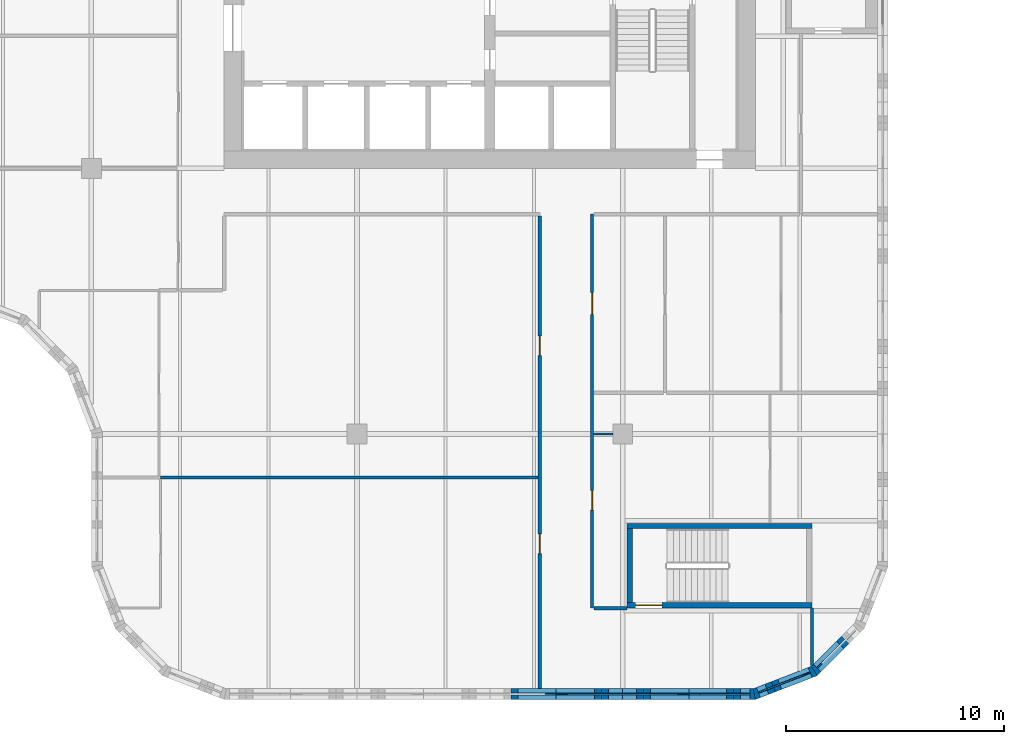
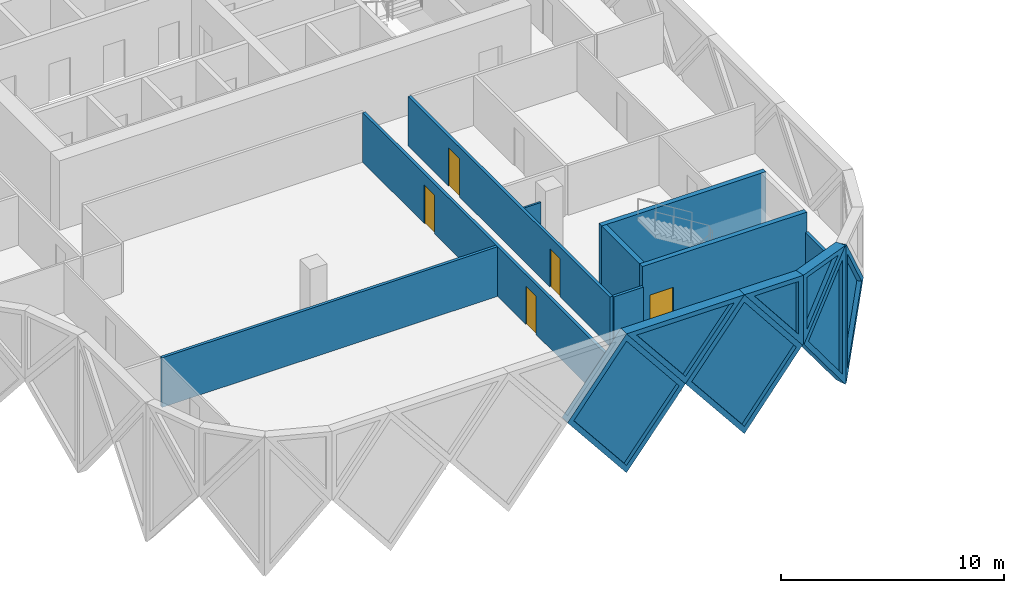
# One storey, part 7 of 24: 16 walls, 7 plates, 5 doors, 12 openings.
"""IFC4 building model written with IfcOpenShell, lengths in metres."""

from ifc_helpers import new_model, si_unit, direction, frame, frame_2d, origin, place, context, subcontext, project, spatial, polyline, rectangle, outline, extrude, faceted_brep, source, transform, mapped, material, layer, layer_set, type_object, element, fill, save


model = new_model("IFC4")

# Units and contexts
model_context = context("Model", 3, precision=1e-05, world=origin(), true_north=direction((0.0, 1.0)))
body_context = subcontext(model_context, "Body", "Model", "MODEL_VIEW")
ifc_project = project(units=[si_unit("LENGTHUNIT", "METRE"), si_unit("AREAUNIT", "SQUARE_METRE"), si_unit("VOLUMEUNIT", "CUBIC_METRE"), si_unit("PLANEANGLEUNIT", "RADIAN"), si_unit("MASSUNIT", "GRAM", prefix="KILO")], contexts=[model_context])

# Site, building, storey
site_placement = place(None, origin())
site = spatial("IfcSite", under=ifc_project, at=site_placement, CompositionType="ELEMENT")
building_placement = place(site_placement, origin())
building = spatial("IfcBuilding", under=site, at=building_placement, Name="Tessera Gate Towers", CompositionType="ELEMENT")
storey_placement = place(building_placement, frame((0.0, 0.0, 102.800048828125)))
storey = spatial("IfcBuildingStorey", under=building, at=storey_placement, Name="L25", CompositionType="ELEMENT", Elevation=102.800048828125)

# Wall, opening, door
ifc_material_1 = material(Name="Concrete C40/50", Category="concrete")
ifc_layer_1 = layer(ifc_material_1, 0.25)
ifc_layer_set_1 = layer_set([ifc_layer_1], Name="CORE ENCLOSURE WALL 250")
wall_type_1 = type_object("IfcWallType", Name="CORE ENCLOSURE WALL 250", PredefinedType="SOLIDWALL", material=ifc_layer_set_1)
wall_1_placement = place(storey_placement, frame((57.5, 4.324951171875, 0.0), z_axis=(0.0, 0.0, 1.0), x_axis=(-1.0, 0.0, 0.0)))
wall_1 = element("IfcWall", 1, at=wall_1_placement, inside=storey, type_object=wall_type_1, Name="L25 ST4 enclosure wall", PredefinedType="SOLIDWALL", context=body_context, shape_type="SweptSolid", body=[
    extrude(rectangle(XDim=8.5, YDim=0.25, at=frame_2d((4.25, 0.0))), origin(), (0.0, 0.0, 1.0), 3.800048828125),
])
shared_shape_1 = source(origin(), body_context, "Body", "SweptSolid", [
    extrude(rectangle(XDim=1.199951171875, YDim=2.10009765625, at=frame_2d((0.60009765625, 1.050048828125))), frame((0.0, 0.135009765625, 0.0), z_axis=(0.0, -1.0, 0.0), x_axis=(1.0, 0.0, 0.0)), (0.0, 0.0, 1.0), 0.27001953125),
])
opening_1_placement = place(wall_1_placement, frame((6.89990234375, 0.0, 0.0)))
opening_1 = element("IfcOpeningElement", 2, at=opening_1_placement, cuts=wall_1, Name="Opening SD-ST4-1", PredefinedType="OPENING", context=body_context, shape_type="MappedRepresentation", body=[
    mapped(shared_shape_1, transform((0.0, 0.0, 0.0), scale=1.0)),
])
ifc_material_2 = material(Name="Hollow steel fire door", Category="steel")
door_type_1 = type_object("IfcDoorType", Name="CORE DOOR SD 1200x2100", OperationType="NOTDEFINED", PredefinedType="DOOR", material=ifc_material_2)
shared_shape_2 = source(origin(), body_context, "Body", "SweptSolid", [
    extrude(rectangle(XDim=1.199951171875, YDim=2.10009765625, at=frame_2d((0.60009765625, 1.050048828125))), frame((0.0, 0.02490234375, 0.0), z_axis=(0.0, -1.0, 0.0), x_axis=(1.0, 0.0, 0.0)), (0.0, 0.0, 1.0), 0.050048828125),
])
door_1_placement = place(opening_1_placement, origin())
door_1 = element("IfcDoor", 3, at=door_1_placement, inside=storey, type_object=door_type_1, Name="Stair door", OperationType="SINGLE_SWING_RIGHT", OverallHeight=2.10009765625, OverallWidth=1.199951171875, PredefinedType="DOOR", context=body_context, shape_type="MappedRepresentation", body=[
    mapped(shared_shape_2, transform((0.0, 0.0, 0.0), scale=1.0)),
])
fill(opening_1, door_1)

# Walls
wall_2_placement = place(storey_placement, frame((49.125, 4.449951171875, 0.0), z_axis=(0.0, 0.0, 1.0), x_axis=(0.0, 1.0, 0.0)))
element("IfcWall", 4, at=wall_2_placement, inside=storey, type_object=wall_type_1, Name="L25 ST4 enclosure wall", PredefinedType="SOLIDWALL", context=body_context, shape_type="SweptSolid", body=[
    extrude(rectangle(XDim=3.400146484375, YDim=0.25, at=frame_2d((1.7001953125, 0.0))), origin(), (0.0, 0.0, 1.0), 3.800048828125),
])
wall_3_placement = place(storey_placement, frame((49.0, 7.97509765625, 0.0), z_axis=(0.0, 0.0, 1.0), x_axis=(1.0, 0.0, 0.0)))
element("IfcWall", 5, at=wall_3_placement, inside=storey, type_object=wall_type_1, Name="L25 ST4 enclosure wall", PredefinedType="SOLIDWALL", context=body_context, shape_type="SweptSolid", body=[
    extrude(rectangle(XDim=8.5, YDim=0.25, at=frame_2d((4.25, 0.0))), origin(), (0.0, 0.0, 1.0), 3.800048828125),
])

# Wall, openings, doors
ifc_material_3 = material(Name="Gypsum board on steel studs, mineral wool", Category="steel")
ifc_layer_2 = layer(ifc_material_3, 0.14990234375)
ifc_layer_set_2 = layer_set([ifc_layer_2], Name="CORRIDOR WALL 150")
wall_type_2 = type_object("IfcWallType", Name="CORRIDOR WALL 150", PredefinedType="PARTITIONING", material=ifc_layer_set_2)
wall_4_placement = place(storey_placement, frame((45.0, 0.5, 0.0), z_axis=(0.0, 0.0, 1.0), x_axis=(0.0, 1.0, 0.0)))
wall_4 = element("IfcWall", 6, at=wall_4_placement, inside=storey, type_object=wall_type_2, Name="T1-L25-PW-001", PredefinedType="PARTITIONING", context=body_context, shape_type="SweptSolid", body=[
    extrude(rectangle(XDim=21.72412109375, YDim=0.14990234375, at=frame_2d((10.862060546875, 0.0))), origin(), (0.0, 0.0, 1.0), 2.71484375),
])
shared_shape_3 = source(origin(), body_context, "Body", "SweptSolid", [
    extrude(rectangle(XDim=0.89990234375, YDim=2.10009765625, at=frame_2d((0.449951171875, 1.050048828125))), frame((0.0, 0.0849609375, 0.0), z_axis=(0.0, -1.0, 0.0), x_axis=(1.0, 0.0, 0.0)), (0.0, 0.0, 1.0), 0.169921875),
])
opening_2_placement = place(wall_4_placement, frame((6.199951171875, 0.0, 0.0)))
opening_2 = element("IfcOpeningElement", 7, at=opening_2_placement, cuts=wall_4, Name="Opening D890FD60-A09-03", PredefinedType="OPENING", context=body_context, shape_type="MappedRepresentation", body=[
    mapped(shared_shape_3, transform((0.0, 0.0, 0.0), scale=1.0)),
])
opening_3_placement = place(wall_4_placement, frame((15.300048828125, 0.0, 0.0)))
opening_3 = element("IfcOpeningElement", 8, at=opening_3_placement, cuts=wall_4, Name="Opening D890FD60-A09-11", PredefinedType="OPENING", context=body_context, shape_type="MappedRepresentation", body=[
    mapped(shared_shape_3, transform((0.0, 0.0, 0.0), scale=1.0)),
])
ifc_material_4 = material(Name="Timber door leaf in steel frame", Category="steel")
door_type_2 = type_object("IfcDoorType", Name="CORRIDOR DOOR 900 FD60", OperationType="NOTDEFINED", PredefinedType="DOOR", material=ifc_material_4)
shared_shape_4 = source(origin(), body_context, "Body", "SweptSolid", [
    extrude(rectangle(XDim=0.89990234375, YDim=2.10009765625, at=frame_2d((0.449951171875, 1.050048828125))), frame((0.0, 0.02490234375, 0.0), z_axis=(0.0, -1.0, 0.0), x_axis=(1.0, 0.0, 0.0)), (0.0, 0.0, 1.0), 0.050048828125),
])
door_2_placement = place(opening_2_placement, origin())
door_2 = element("IfcDoor", 9, at=door_2_placement, inside=storey, type_object=door_type_2, Name="T1-L25-PD-015", OperationType="SINGLE_SWING_LEFT", OverallHeight=2.10009765625, OverallWidth=0.89990234375, PredefinedType="DOOR", context=body_context, shape_type="MappedRepresentation", body=[
    mapped(shared_shape_4, transform((0.0, 0.0, 0.0), scale=1.0)),
])
fill(opening_2, door_2)
door_3_placement = place(opening_3_placement, origin())
door_3 = element("IfcDoor", 10, at=door_3_placement, inside=storey, type_object=door_type_2, Name="T1-L25-PD-030", OperationType="SINGLE_SWING_LEFT", OverallHeight=2.10009765625, OverallWidth=0.89990234375, PredefinedType="DOOR", context=body_context, shape_type="MappedRepresentation", body=[
    mapped(shared_shape_4, transform((0.0, 0.0, 0.0), scale=1.0)),
])
fill(opening_3, door_3)

# Wall
wall_5_placement = place(storey_placement, frame((57.5, 1.55908203125, 0.0), z_axis=(0.0, 0.0, 1.0), x_axis=(0.0, 1.0, 0.0)))
element("IfcWall", 11, at=wall_5_placement, inside=storey, type_object=wall_type_2, Name="T1-L25-PW-002", PredefinedType="PARTITIONING", context=body_context, shape_type="SweptSolid", body=[
    extrude(rectangle(XDim=2.640869140625, YDim=0.14990234375, at=frame_2d((1.3203125, 0.0))), origin(), (0.0, 0.0, 1.0), 2.71484375),
])

# Wall, openings, doors
wall_6_placement = place(storey_placement, frame((47.39990234375, 22.300048828125, 0.0), z_axis=(0.0, 0.0, 1.0), x_axis=(0.0, -1.0, 0.0)))
wall_6 = element("IfcWall", 12, at=wall_6_placement, inside=storey, type_object=wall_type_2, Name="T1-L25-PW-005", PredefinedType="PARTITIONING", context=body_context, shape_type="SweptSolid", body=[
    extrude(rectangle(XDim=18.10009765625, YDim=0.14990234375, at=frame_2d((9.050048828125, 0.0))), origin(), (0.0, 0.0, 1.0), 2.71484375),
])
shared_shape_5 = source(origin(), body_context, "Body", "SweptSolid", [
    extrude(rectangle(XDim=1.0, YDim=2.10009765625, at=frame_2d((0.5, 1.050048828125))), frame((0.0, 0.0849609375, 0.0), z_axis=(0.0, -1.0, 0.0), x_axis=(1.0, 0.0, 0.0)), (0.0, 0.0, 1.0), 0.169921875),
])
opening_4_placement = place(wall_6_placement, frame((3.59912109375, 0.0, 0.0)))
opening_4 = element("IfcOpeningElement", 13, at=opening_4_placement, cuts=wall_6, Name="Opening D2100FD60-A09-02", PredefinedType="OPENING", context=body_context, shape_type="MappedRepresentation", body=[
    mapped(shared_shape_5, transform((0.0, 0.0, 0.0), scale=1.0)),
])
opening_5_placement = place(wall_6_placement, frame((12.699951171875, 0.0, 0.0)))
opening_5 = element("IfcOpeningElement", 14, at=opening_5_placement, cuts=wall_6, Name="Opening D890FD60-A09-10", PredefinedType="OPENING", context=body_context, shape_type="MappedRepresentation", body=[
    mapped(shared_shape_3, transform((0.0, 0.0, 0.0), scale=1.0)),
])
door_4_placement = place(opening_5_placement, origin())
door_4 = element("IfcDoor", 15, at=door_4_placement, inside=storey, type_object=door_type_2, Name="T1-L25-PD-029", OperationType="SINGLE_SWING_RIGHT", OverallHeight=2.10009765625, OverallWidth=0.89990234375, PredefinedType="DOOR", context=body_context, shape_type="MappedRepresentation", body=[
    mapped(shared_shape_4, transform((0.0, 0.0, 0.0), scale=1.0)),
])
fill(opening_5, door_4)
ifc_material_5 = material(Name="Timber door leaf in steel frame", Category="steel")
door_type_3 = type_object("IfcDoorType", Name="TENANCY ENTRANCE DOOR 1000 FD60", OperationType="NOTDEFINED", PredefinedType="DOOR", material=ifc_material_5)
shared_shape_6 = source(origin(), body_context, "Body", "SweptSolid", [
    extrude(rectangle(XDim=1.0, YDim=2.10009765625, at=frame_2d((0.5, 1.050048828125))), frame((0.0, 0.02490234375, 0.0), z_axis=(0.0, -1.0, 0.0), x_axis=(1.0, 0.0, 0.0)), (0.0, 0.0, 1.0), 0.050048828125),
])
door_5_placement = place(opening_4_placement, origin())
door_5 = element("IfcDoor", 16, at=door_5_placement, inside=storey, type_object=door_type_3, Name="T1-L25-PD-022", OperationType="SINGLE_SWING_RIGHT", OverallHeight=2.10009765625, OverallWidth=1.0, PredefinedType="DOOR", context=body_context, shape_type="MappedRepresentation", body=[
    mapped(shared_shape_6, transform((0.0, 0.0, 0.0), scale=1.0)),
])
fill(opening_4, door_5)

# Walls
wall_7_placement = place(storey_placement, frame((47.47607421875, 4.199951171875, 0.0), z_axis=(0.0, 0.0, 1.0), x_axis=(1.0, 0.0, 0.0)))
element("IfcWall", 17, at=wall_7_placement, inside=storey, type_object=wall_type_2, Name="T1-L25-PW-006", PredefinedType="PARTITIONING", context=body_context, shape_type="SweptSolid", body=[
    extrude(rectangle(XDim=1.52392578125, YDim=0.14990234375, at=frame_2d((0.761962890625, 0.0))), origin(), (0.0, 0.0, 1.0), 2.71484375),
])
ifc_material_6 = material(Name="Gypsum board on steel studs", Category="steel")
ifc_layer_3 = layer(ifc_material_6, 0.10009765625)
ifc_layer_set_3 = layer_set([ifc_layer_3], Name="PARTITION 100")
wall_type_3 = type_object("IfcWallType", Name="PARTITION 100", PredefinedType="PARTITIONING", material=ifc_layer_set_3)
wall_8_placement = place(storey_placement, frame((48.35009765625, 12.199951171875, 0.0), z_axis=(0.0, 0.0, 1.0), x_axis=(-1.0, 0.0, 0.0)))
element("IfcWall", 18, at=wall_8_placement, inside=storey, type_object=wall_type_3, Name="T1-L25-PW-011", PredefinedType="PARTITIONING", context=body_context, shape_type="SweptSolid", body=[
    extrude(rectangle(XDim=0.875, YDim=0.10009765625, at=frame_2d((0.4375, 0.0))), origin(), (0.0, 0.0, 1.0), 2.71484375),
])
ifc_material_7 = material(Name="Gypsum board on steel studs, mineral wool", Category="steel")
ifc_layer_4 = layer(ifc_material_7, 0.14990234375)
ifc_layer_set_4 = layer_set([ifc_layer_4], Name="TENANCY WALL 150")
wall_type_4 = type_object("IfcWallType", Name="TENANCY WALL 150", PredefinedType="PARTITIONING", material=ifc_layer_set_4)
wall_9_placement = place(storey_placement, frame((27.574951171875, 10.199951171875, 0.0), z_axis=(0.0, 0.0, 1.0), x_axis=(1.0, 0.0, 0.0)))
element("IfcWall", 19, at=wall_9_placement, inside=storey, type_object=wall_type_4, Name="T1-L25-PW-009", PredefinedType="PARTITIONING", context=body_context, shape_type="SweptSolid", body=[
    extrude(rectangle(XDim=17.34912109375, YDim=0.14990234375, at=frame_2d((8.674560546875, 0.0))), origin(), (0.0, 0.0, 1.0), 2.71484375),
])

# Wall, opening, plate
ifc_material_8 = material(Name="Precast concrete C60/75 white", Category="concrete")
ifc_layer_5 = layer(ifc_material_8, 0.5)
ifc_layer_set_5 = layer_set([ifc_layer_5], Name="TS1 tessera")
wall_type_5 = type_object("IfcWallType", Name="TS1 tessera", PredefinedType="SOLIDWALL", material=ifc_layer_set_5)
shared_shape_7 = source(origin(), body_context, "Body", "SweptSolid", [
    extrude(outline(polyline([(3.050048828125, 0.0), (6.10009765625, 3.800048828125), (3.050048828125, 7.60009765625), (0.0, 3.800048828125), (3.050048828125, 0.0)])), frame((0.0, 0.25, 0.0), z_axis=(0.0, -1.0, 0.0), x_axis=(1.0, 0.0, 0.0)), (0.0, 0.0, 1.0), 0.5),
])
wall_10_placement = place(storey_placement, frame((42.699951171875, 0.25, -3.800048828125), z_axis=(0.0, 0.0, 1.0), x_axis=(1.0, 0.0, 0.0)))
wall_10 = element("IfcWall", 20, at=wall_10_placement, inside=storey, type_object=wall_type_5, Name="Precast tessera T1 TS1-0416", PredefinedType="SOLIDWALL", context=body_context, shape_type="MappedRepresentation", body=[
    mapped(shared_shape_7, transform((0.0, 0.0, 0.0), scale=1.0)),
])
shared_shape_8 = source(origin(), body_context, "Body", "SweptSolid", [
    extrude(outline(polyline([(3.050048828125, 0.3994140625), (5.779541015625, 3.800048828125), (3.050048828125, 7.20068359375), (0.320556640625, 3.800048828125), (3.050048828125, 0.3994140625)])), frame((0.0, 0.260009765625, 0.0), z_axis=(0.0, -1.0, 0.0), x_axis=(1.0, 0.0, 0.0)), (0.0, 0.0, 1.0), 0.52001953125),
])
opening_6_placement = place(wall_10_placement, origin())
opening_6 = element("IfcOpeningElement", 21, at=opening_6_placement, cuts=wall_10, Name="Opening T1-PL2-0848", PredefinedType="OPENING", context=body_context, shape_type="MappedRepresentation", body=[
    mapped(shared_shape_8, transform((0.0, 0.0, 0.0), scale=1.0)),
])
ifc_material_9 = material(Name="Low-e laminated glass", Category="glass")
ifc_layer_6 = layer(ifc_material_9, 0.06005859375)
ifc_layer_set_6 = layer_set([ifc_layer_6], Name="PL2 rhombic pane")
plate_type_1 = type_object("IfcPlateType", Name="PL2 rhombic pane", PredefinedType="SHEET", material=ifc_layer_set_6)
shared_shape_9 = source(origin(), body_context, "Body", "SweptSolid", [
    extrude(outline(polyline([(3.050048828125, 0.3994140625), (5.779541015625, 3.800048828125), (3.050048828125, 7.20068359375), (0.320556640625, 3.800048828125), (3.050048828125, 0.3994140625)])), frame((0.0, 0.030029296875, 0.0), z_axis=(0.0, -1.0, 0.0), x_axis=(1.0, 0.0, 0.0)), (0.0, 0.0, 1.0), 0.06005859375),
])
plate_1_placement = place(opening_6_placement, origin())
plate_1 = element("IfcPlate", 22, at=plate_1_placement, inside=storey, type_object=plate_type_1, Name="Glass pane T1 PL2-0848", PredefinedType="SHEET", context=body_context, shape_type="MappedRepresentation", body=[
    mapped(shared_shape_9, transform((0.0, 0.0, 0.0), scale=1.0)),
])
fill(opening_6, plate_1)

shared_shape_10 = source(origin(), body_context, "Body", "Brep", [
    faceted_brep([(3.050048828125, -0.25, 0.0), (6.053466796875, -0.25, 3.800048828125), (3.050048828125, -0.25, 7.60009765625), (0.0, -0.25, 3.800048828125), (0.0, 0.25, 3.800048828125), (3.050048828125, 0.25, 7.60009765625), (6.0068359375, 0.25, 3.85888671875), (6.0068359375, 0.25, 3.7412109375), (3.050048828125, 0.25, 0.0), (6.053466796875, 0.0, 3.800048828125)], [[[0, 1, 2, 3]], [[4, 5, 6, 7, 8]], [[8, 7, 9, 1, 0]], [[6, 5, 2, 1, 9]], [[5, 4, 3, 2]], [[4, 8, 0, 3]], [[9, 7, 6]]]),
])
wall_11_placement = place(storey_placement, frame((48.800048828125, 0.25, -3.800048828125), z_axis=(0.0, 0.0, 1.0), x_axis=(1.0, 0.0, 0.0)))
wall_11 = element("IfcWall", 23, at=wall_11_placement, inside=storey, type_object=wall_type_5, Name="Precast tessera T1 TS1-0417", PredefinedType="SOLIDWALL", context=body_context, shape_type="MappedRepresentation", body=[
    mapped(shared_shape_10, transform((0.0, 0.0, 0.0), scale=1.0)),
])
shared_shape_11 = source(origin(), body_context, "Body", "SweptSolid", [
    extrude(outline(polyline([(3.048583984375, 0.4013671875), (5.73486328125, 3.800048828125), (3.048583984375, 7.19873046875), (0.320556640625, 3.800048828125), (3.048583984375, 0.4013671875)])), frame((0.0, 0.260009765625, 0.0), z_axis=(0.0, -1.0, 0.0), x_axis=(1.0, 0.0, 0.0)), (0.0, 0.0, 1.0), 0.52001953125),
])
opening_7_placement = place(wall_11_placement, origin())
opening_7 = element("IfcOpeningElement", 24, at=opening_7_placement, cuts=wall_11, Name="Opening T1-PL2-0849", PredefinedType="OPENING", context=body_context, shape_type="MappedRepresentation", body=[
    mapped(shared_shape_11, transform((0.0, 0.0, 0.0), scale=1.0)),
])
shared_shape_12 = source(origin(), body_context, "Body", "SweptSolid", [
    extrude(outline(polyline([(3.048583984375, 0.4013671875), (5.73486328125, 3.800048828125), (3.048583984375, 7.19873046875), (0.320556640625, 3.800048828125), (3.048583984375, 0.4013671875)])), frame((0.0, 0.030029296875, 0.0), z_axis=(0.0, -1.0, 0.0), x_axis=(1.0, 0.0, 0.0)), (0.0, 0.0, 1.0), 0.06005859375),
])
plate_2_placement = place(opening_7_placement, origin())
plate_2 = element("IfcPlate", 25, at=plate_2_placement, inside=storey, type_object=plate_type_1, Name="Glass pane T1 PL2-0849", PredefinedType="SHEET", context=body_context, shape_type="MappedRepresentation", body=[
    mapped(shared_shape_12, transform((0.0, 0.0, 0.0), scale=1.0)),
])
fill(opening_7, plate_2)

ifc_material_10 = material(Name="Precast concrete C60/75 white", Category="concrete")
ifc_layer_7 = layer(ifc_material_10, 0.5)
ifc_layer_set_7 = layer_set([ifc_layer_7], Name="TS3 corner tessera")
wall_type_6 = type_object("IfcWallType", Name="TS3 corner tessera", PredefinedType="SOLIDWALL", material=ifc_layer_set_7)
shared_shape_13 = source(origin(), body_context, "Body", "Brep", [
    faceted_brep([(2.950439453125, -0.25, 0.0), (3.00341796875, -0.25, 0.068359375), (3.00341796875, -0.25, 7.53173828125), (2.950439453125, -0.25, 7.60009765625), (0.0, -0.25, 3.800048828125), (0.046630859375, 0.25, 3.860107421875), (2.897705078125, 0.25, 7.531982421875), (2.897705078125, 0.25, 0.068115234375), (0.046630859375, 0.25, 3.739990234375), (2.950439453125, 0.00048828125, 0.0), (2.950439453125, 0.00048828125, 7.60009765625), (0.0, 0.0, 3.800048828125)], [[[0, 1, 2, 3, 4]], [[5, 6, 7, 8]], [[1, 0, 9]], [[10, 3, 2]], [[6, 5, 11, 4, 3, 10]], [[8, 7, 9, 0, 4, 11]], [[8, 11, 5]], [[1, 9, 7, 6, 10, 2]]]),
])
wall_12_placement = place(storey_placement, frame((54.853515625, 0.25, -3.800048828125), z_axis=(0.0, 0.0, 1.0), x_axis=(0.932970071518, 0.359953949349, 0.0)))
wall_12 = element("IfcWall", 26, at=wall_12_placement, inside=storey, type_object=wall_type_6, Name="Precast corner tessera T1 TS3-0553", PredefinedType="SOLIDWALL", context=body_context, shape_type="MappedRepresentation", body=[
    mapped(shared_shape_13, transform((0.0, 0.0, 0.0), scale=1.0)),
])
shared_shape_14 = source(origin(), body_context, "Body", "SweptSolid", [
    extrude(outline(polyline([(2.75048828125, 6.934814453125), (0.31640625, 3.800048828125), (2.75048828125, 0.665283203125), (2.75048828125, 6.934814453125)])), frame((0.0, 0.260009765625, 0.0), z_axis=(0.0, -1.0, 0.0), x_axis=(1.0, 0.0, 0.0)), (0.0, 0.0, 1.0), 0.52001953125),
])
opening_8_placement = place(wall_12_placement, origin())
opening_8 = element("IfcOpeningElement", 27, at=opening_8_placement, cuts=wall_12, Name="Opening T1-PL2-0850", PredefinedType="OPENING", context=body_context, shape_type="MappedRepresentation", body=[
    mapped(shared_shape_14, transform((0.0, 0.0, 0.0), scale=1.0)),
])
shared_shape_15 = source(origin(), body_context, "Body", "SweptSolid", [
    extrude(outline(polyline([(2.75048828125, 6.934814453125), (0.31640625, 3.800048828125), (2.75048828125, 0.665283203125), (2.75048828125, 6.934814453125)])), frame((0.0, 0.030029296875, 0.0), z_axis=(0.0, -1.0, 0.0), x_axis=(1.0, 0.0, 0.0)), (0.0, 0.0, 1.0), 0.06005859375),
])
plate_3_placement = place(opening_8_placement, origin())
plate_3 = element("IfcPlate", 28, at=plate_3_placement, inside=storey, type_object=plate_type_1, Name="Glass pane T1 PL2-0850", PredefinedType="SHEET", context=body_context, shape_type="MappedRepresentation", body=[
    mapped(shared_shape_15, transform((0.0, 0.0, 0.0), scale=1.0)),
])
fill(opening_8, plate_3)

shared_shape_16 = source(origin(), body_context, "Body", "Brep", [
    faceted_brep([(0.052978515625, -0.25, 0.0), (2.9970703125, -0.25, 3.800048828125), (0.052978515625, -0.25, 7.60009765625), (0.0, -0.25, 7.531982421875), (0.0, -0.25, 0.068115234375), (0.10595703125, 0.25, 7.53173828125), (2.944091796875, 0.25, 3.8681640625), (2.944091796875, 0.25, 3.73193359375), (0.10595703125, 0.25, 0.068359375), (2.9970703125, 0.000244140625, 3.800048828125), (0.052978515625, 0.0, 0.0), (0.052978515625, 0.0, 7.60009765625)], [[[0, 1, 2, 3, 4]], [[5, 6, 7, 8]], [[8, 7, 9, 1, 0, 10]], [[6, 5, 11, 2, 1, 9]], [[3, 2, 11]], [[10, 0, 4]], [[8, 10, 4, 3, 11, 5]], [[9, 7, 6]]]),
])
wall_13_placement = place(storey_placement, frame((57.56884765625, 1.2744140625, -3.800048828125), z_axis=(0.0, 0.0, 1.0), x_axis=(0.707066050402, 0.707147509625, 0.0)))
wall_13 = element("IfcWall", 29, at=wall_13_placement, inside=storey, type_object=wall_type_6, Name="Precast corner tessera T1 TS3-0554", PredefinedType="SOLIDWALL", context=body_context, shape_type="MappedRepresentation", body=[
    mapped(shared_shape_16, transform((0.0, 0.0, 0.0), scale=1.0)),
])
shared_shape_17 = source(origin(), body_context, "Body", "SweptSolid", [
    extrude(outline(polyline([(0.2529296875, 0.666259765625), (2.680908203125, 3.800048828125), (0.2529296875, 6.93359375), (0.2529296875, 0.666259765625)])), frame((0.0, 0.260009765625, 0.0), z_axis=(0.0, -1.0, 0.0), x_axis=(1.0, 0.0, 0.0)), (0.0, 0.0, 1.0), 0.52001953125),
])
opening_9_placement = place(wall_13_placement, origin())
opening_9 = element("IfcOpeningElement", 30, at=opening_9_placement, cuts=wall_13, Name="Opening T1-PL2-0851", PredefinedType="OPENING", context=body_context, shape_type="MappedRepresentation", body=[
    mapped(shared_shape_17, transform((0.0, 0.0, 0.0), scale=1.0)),
])
shared_shape_18 = source(origin(), body_context, "Body", "SweptSolid", [
    extrude(outline(polyline([(0.2529296875, 0.666259765625), (2.680908203125, 3.800048828125), (0.2529296875, 6.93359375), (0.2529296875, 0.666259765625)])), frame((0.0, 0.030029296875, 0.0), z_axis=(0.0, -1.0, 0.0), x_axis=(1.0, 0.0, 0.0)), (0.0, 0.0, 1.0), 0.06005859375),
])
plate_4_placement = place(opening_9_placement, origin())
plate_4 = element("IfcPlate", 31, at=plate_4_placement, inside=storey, type_object=plate_type_1, Name="Glass pane T1 PL2-0851", PredefinedType="SHEET", context=body_context, shape_type="MappedRepresentation", body=[
    mapped(shared_shape_18, transform((0.0, 0.0, 0.0), scale=1.0)),
])
fill(opening_9, plate_4)

ifc_material_11 = material(Name="Precast concrete C60/75 white", Category="concrete")
ifc_layer_8 = layer(ifc_material_11, 0.5)
ifc_layer_set_8 = layer_set([ifc_layer_8], Name="TS2 half tessera")
wall_type_7 = type_object("IfcWallType", Name="TS2 half tessera", PredefinedType="SOLIDWALL", material=ifc_layer_set_8)
shared_shape_19 = source(origin(), body_context, "Body", "SweptSolid", [
    extrude(outline(polyline([(3.050048828125, 0.0), (6.10009765625, 3.800048828125), (0.0, 3.800048828125), (3.050048828125, 0.0)])), frame((0.0, 0.25, 0.0), z_axis=(0.0, -1.0, 0.0), x_axis=(1.0, 0.0, 0.0)), (0.0, 0.0, 1.0), 0.5),
])
wall_14_placement = place(storey_placement, frame((45.75, 0.25, 0.0), z_axis=(0.0, 0.0, 1.0), x_axis=(1.0, 0.0, 0.0)))
wall_14 = element("IfcWall", 32, at=wall_14_placement, inside=storey, type_object=wall_type_7, Name="Precast half tessera T1 TS2-0117", PredefinedType="SOLIDWALL", context=body_context, shape_type="MappedRepresentation", body=[
    mapped(shared_shape_19, transform((0.0, 0.0, 0.0), scale=1.0)),
])
shared_shape_20 = source(origin(), body_context, "Body", "SweptSolid", [
    extrude(outline(polyline([(3.050048828125, 0.3994140625), (5.578857421875, 3.550048828125), (0.521240234375, 3.550048828125), (3.050048828125, 0.3994140625)])), frame((0.0, 0.260009765625, 0.0), z_axis=(0.0, -1.0, 0.0), x_axis=(1.0, 0.0, 0.0)), (0.0, 0.0, 1.0), 0.52001953125),
])
opening_10_placement = place(wall_14_placement, origin())
opening_10 = element("IfcOpeningElement", 33, at=opening_10_placement, cuts=wall_14, Name="Opening T1-PL1-0239", PredefinedType="OPENING", context=body_context, shape_type="MappedRepresentation", body=[
    mapped(shared_shape_20, transform((0.0, 0.0, 0.0), scale=1.0)),
])
ifc_material_12 = material(Name="Low-e laminated glass", Category="glass")
ifc_layer_9 = layer(ifc_material_12, 0.06005859375)
ifc_layer_set_9 = layer_set([ifc_layer_9], Name="PL1 triangular pane")
plate_type_2 = type_object("IfcPlateType", Name="PL1 triangular pane", PredefinedType="SHEET", material=ifc_layer_set_9)
shared_shape_21 = source(origin(), body_context, "Body", "SweptSolid", [
    extrude(outline(polyline([(3.050048828125, 0.3994140625), (5.578857421875, 3.550048828125), (0.521240234375, 3.550048828125), (3.050048828125, 0.3994140625)])), frame((0.0, 0.030029296875, 0.0), z_axis=(0.0, -1.0, 0.0), x_axis=(1.0, 0.0, 0.0)), (0.0, 0.0, 1.0), 0.06005859375),
])
plate_5_placement = place(opening_10_placement, origin())
plate_5 = element("IfcPlate", 34, at=plate_5_placement, inside=storey, type_object=plate_type_2, Name="Glass pane T1 PL1-0239", PredefinedType="SHEET", context=body_context, shape_type="MappedRepresentation", body=[
    mapped(shared_shape_21, transform((0.0, 0.0, 0.0), scale=1.0)),
])
fill(opening_10, plate_5)

shared_shape_22 = source(origin(), body_context, "Body", "Brep", [
    faceted_brep([(3.00341796875, -0.25, 0.0), (3.050048828125, -0.25, 0.06005859375), (3.050048828125, -0.25, 3.800048828125), (0.0, -0.25, 3.800048828125), (0.0, 0.25, 3.800048828125), (2.956787109375, 0.25, 3.800048828125), (2.956787109375, 0.25, 0.058837890625), (3.00341796875, 0.000244140625, 0.0)], [[[0, 1, 2, 3]], [[4, 5, 6]], [[1, 0, 7]], [[5, 4, 3, 2]], [[4, 6, 7, 0, 3]], [[1, 7, 6, 5, 2]]]),
])
wall_15_placement = place(storey_placement, frame((51.85009765625, 0.25, 0.0), z_axis=(0.0, 0.0, 1.0), x_axis=(1.0, 0.0, 0.0)))
wall_15 = element("IfcWall", 35, at=wall_15_placement, inside=storey, type_object=wall_type_6, Name="Precast corner tessera T1 TS3-0579", PredefinedType="SOLIDWALL", context=body_context, shape_type="MappedRepresentation", body=[
    mapped(shared_shape_22, transform((0.0, 0.0, 0.0), scale=1.0)),
])
shared_shape_23 = source(origin(), body_context, "Body", "SweptSolid", [
    extrude(outline(polyline([(2.803466796875, 3.550048828125), (0.516357421875, 3.550048828125), (2.803466796875, 0.65625), (2.803466796875, 3.550048828125)])), frame((0.0, 0.260009765625, 0.0), z_axis=(0.0, -1.0, 0.0), x_axis=(1.0, 0.0, 0.0)), (0.0, 0.0, 1.0), 0.52001953125),
])
opening_11_placement = place(wall_15_placement, origin())
opening_11 = element("IfcOpeningElement", 36, at=opening_11_placement, cuts=wall_15, Name="Opening T1-PL1-0240", PredefinedType="OPENING", context=body_context, shape_type="MappedRepresentation", body=[
    mapped(shared_shape_23, transform((0.0, 0.0, 0.0), scale=1.0)),
])
shared_shape_24 = source(origin(), body_context, "Body", "SweptSolid", [
    extrude(outline(polyline([(2.803466796875, 3.550048828125), (0.516357421875, 3.550048828125), (2.803466796875, 0.65625), (2.803466796875, 3.550048828125)])), frame((0.0, 0.030029296875, 0.0), z_axis=(0.0, -1.0, 0.0), x_axis=(1.0, 0.0, 0.0)), (0.0, 0.0, 1.0), 0.06005859375),
])
plate_6_placement = place(opening_11_placement, origin())
plate_6 = element("IfcPlate", 37, at=plate_6_placement, inside=storey, type_object=plate_type_2, Name="Glass pane T1 PL1-0240", PredefinedType="SHEET", context=body_context, shape_type="MappedRepresentation", body=[
    mapped(shared_shape_24, transform((0.0, 0.0, 0.0), scale=1.0)),
])
fill(opening_11, plate_6)

shared_shape_25 = source(origin(), body_context, "Body", "Brep", [
    faceted_brep([(0.046630859375, -0.25, 0.0), (2.9970703125, -0.25, 3.800048828125), (0.0, -0.25, 3.800048828125), (0.0, -0.25, 0.058837890625), (0.09326171875, 0.25, 3.800048828125), (2.9443359375, 0.25, 3.800048828125), (2.9443359375, 0.25, 3.73193359375), (0.09326171875, 0.25, 0.06005859375), (2.9970703125, 0.00048828125, 3.800048828125), (0.046630859375, 0.0, 0.0)], [[[0, 1, 2, 3]], [[4, 5, 6, 7]], [[7, 6, 8, 1, 0, 9]], [[5, 4, 2, 1, 8]], [[9, 0, 3]], [[7, 9, 3, 2, 4]], [[6, 5, 8]]]),
])
wall_16_placement = place(storey_placement, frame((54.81005859375, 0.233154296875, 0.0), z_axis=(0.0, 0.0, 1.0), x_axis=(0.932990326376, 0.359901446078, 0.0)))
wall_16 = element("IfcWall", 38, at=wall_16_placement, inside=storey, type_object=wall_type_6, Name="Precast corner tessera T1 TS3-0580", PredefinedType="SOLIDWALL", context=body_context, shape_type="MappedRepresentation", body=[
    mapped(shared_shape_25, transform((0.0, 0.0, 0.0), scale=1.0)),
])
shared_shape_26 = source(origin(), body_context, "Body", "SweptSolid", [
    extrude(outline(polyline([(0.24658203125, 0.665283203125), (2.486572265625, 3.550048828125), (0.24658203125, 3.550048828125), (0.24658203125, 0.665283203125)])), frame((0.0, 0.260009765625, 0.0), z_axis=(0.0, -1.0, 0.0), x_axis=(1.0, 0.0, 0.0)), (0.0, 0.0, 1.0), 0.52001953125),
])
opening_12_placement = place(wall_16_placement, origin())
opening_12 = element("IfcOpeningElement", 39, at=opening_12_placement, cuts=wall_16, Name="Opening T1-PL1-0241", PredefinedType="OPENING", context=body_context, shape_type="MappedRepresentation", body=[
    mapped(shared_shape_26, transform((0.0, 0.0, 0.0), scale=1.0)),
])
shared_shape_27 = source(origin(), body_context, "Body", "SweptSolid", [
    extrude(outline(polyline([(0.24658203125, 0.665283203125), (2.486572265625, 3.550048828125), (0.24658203125, 3.550048828125), (0.24658203125, 0.665283203125)])), frame((0.0, 0.030029296875, 0.0), z_axis=(0.0, -1.0, 0.0), x_axis=(1.0, 0.0, 0.0)), (0.0, 0.0, 1.0), 0.06005859375),
])
plate_7_placement = place(opening_12_placement, origin())
plate_7 = element("IfcPlate", 40, at=plate_7_placement, inside=storey, type_object=plate_type_2, Name="Glass pane T1 PL1-0241", PredefinedType="SHEET", context=body_context, shape_type="MappedRepresentation", body=[
    mapped(shared_shape_27, transform((0.0, 0.0, 0.0), scale=1.0)),
])
fill(opening_12, plate_7)

save(model, "model.ifc")
